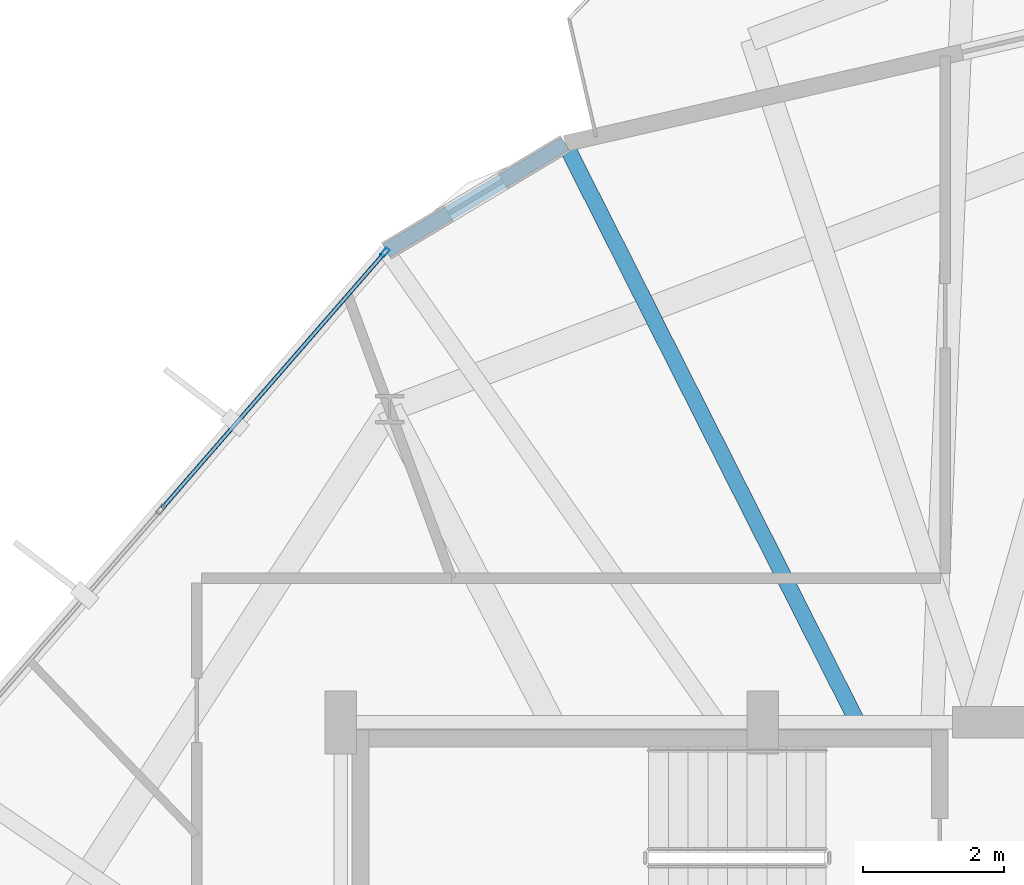
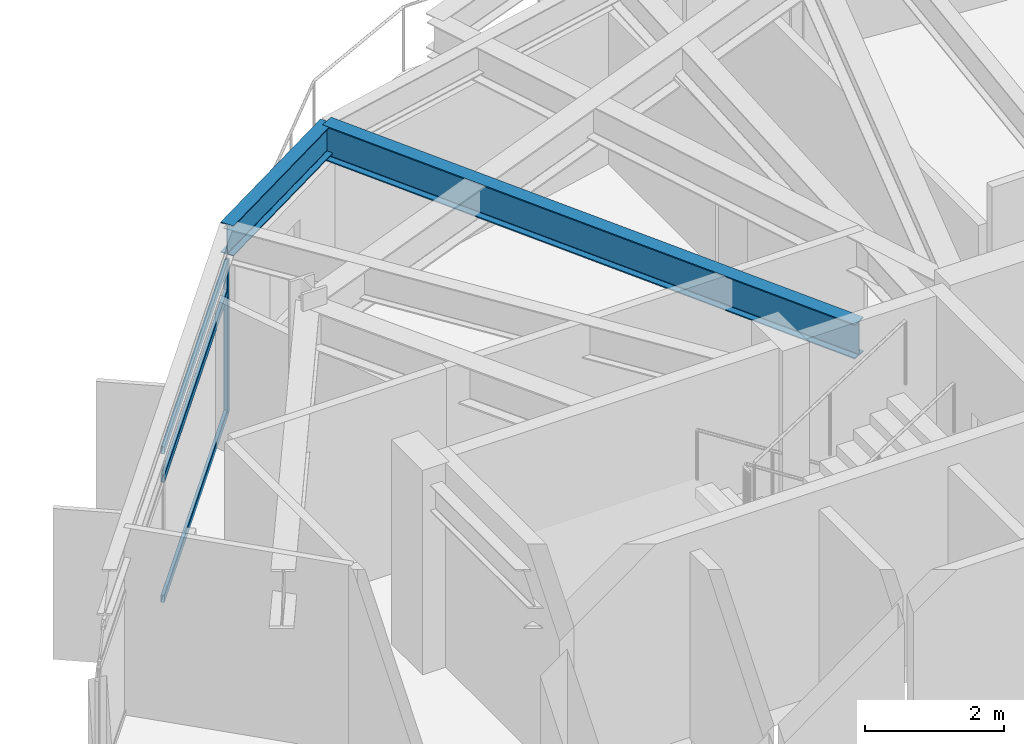
# One storey, part 15 of 27: 4 members, 2 beams, 1 element without a shape of its own.
"""IFC4 building model written with IfcOpenShell, lengths in metres."""

from ifc_helpers import new_model, si_unit, direction, frame, origin, origin_2d, place, context, subcontext, project, spatial, hollow_rectangle, i_section, extrude, material, layer, layer_set, material_profile, profile_set, type_object, element, aggregate, save


model = new_model("IFC4")

# Units and contexts
model_context = context("Model", 3, precision=1e-05, world=origin(), true_north=direction((0.0, 1.0)))
body_context = subcontext(model_context, "Body", "Model", "MODEL_VIEW")
ifc_project = project(units=[si_unit("LENGTHUNIT", "METRE"), si_unit("AREAUNIT", "SQUARE_METRE"), si_unit("VOLUMEUNIT", "CUBIC_METRE"), si_unit("PLANEANGLEUNIT", "RADIAN"), si_unit("MASSUNIT", "GRAM", prefix="KILO")], contexts=[model_context])

# Site, building, storey
site_placement = place(None, origin())
site = spatial("IfcSite", under=ifc_project, at=site_placement, CompositionType="ELEMENT")
building_placement = place(site_placement, origin())
building = spatial("IfcBuilding", under=site, at=building_placement, Name="Soratama Intermodal Tower", CompositionType="ELEMENT")
storey_placement = place(building_placement, frame((0.0, 0.0, 212.199951171875)))
storey = spatial("IfcBuildingStorey", under=building, at=storey_placement, Name="L53", CompositionType="ELEMENT", Elevation=212.199951171875)

# Beams
ifc_material_1 = material(Name="Structural steel ASTM A992 Grade 50", Category="steel")
ifc_material_profile_1 = material_profile(ifc_material_1, i_section(OverallWidth=0.2099609375, OverallDepth=0.537109375, WebThickness=0.010986328125, FlangeThickness=0.017333984375, FilletRadius=0.012939453125, at=origin_2d()), Name="W21X68")
ifc_profile_set_1 = profile_set([ifc_material_profile_1], Name="Structural steel ASTM A992 Grade 50")
beam_type_1 = type_object("IfcBeamType", Name="BM-SPN-W21X68", PredefinedType="SPANDREL", material=ifc_profile_set_1)
beam_1_placement = place(storey_placement, frame((35.7919921875, 43.23193359375, 3.031494140625), z_axis=(-0.857565534779, -0.514374720957, 0.0), x_axis=(0.514374720957, -0.857565534779, 0.0)))
element("IfcBeam", 1, at=beam_1_placement, inside=storey, type_object=beam_type_1, Name="BS-L53-CRN02", PredefinedType="SPANDREL", context=body_context, shape_type="SweptSolid", body=[
    extrude(i_section(OverallWidth=0.2099609375, OverallDepth=0.537109375, WebThickness=0.010986328125, FlangeThickness=0.017333984375, FilletRadius=0.012939453125, at=origin_2d()), origin(), (0.0, 0.0, 1.0), 2.966552734375),
])
ifc_material_2 = material(Name="Structural steel ASTM A992 Grade 50", Category="steel")
ifc_material_profile_2 = material_profile(ifc_material_2, i_section(OverallWidth=0.22900390625, OverallDepth=0.612060546875, WebThickness=0.011962890625, FlangeThickness=0.01953125, FilletRadius=0.012939453125, at=origin_2d()), Name="W24X84")
ifc_profile_set_2 = profile_set([ifc_material_profile_2], Name="Structural steel ASTM A992 Grade 50")
beam_type_2 = type_object("IfcBeamType", Name="BM-TIE-W24X84", PredefinedType="BEAM", material=ifc_profile_set_2)
beam_2_placement = place(storey_placement, frame((39.931884765625, 35.035888671875, 2.994140625), z_axis=(-0.450857790646, 0.892595794643, 0.0), x_axis=(-0.892595794643, -0.450857790646, 0.0)))
element("IfcBeam", 2, at=beam_2_placement, inside=storey, type_object=beam_type_2, Name="BM-L53-TIE1-02", PredefinedType="BEAM", context=body_context, shape_type="SweptSolid", body=[
    extrude(i_section(OverallWidth=0.22900390625, OverallDepth=0.612060546875, WebThickness=0.011962890625, FlangeThickness=0.01953125, FilletRadius=0.012939453125, at=origin_2d()), origin(), (0.0, 0.0, 1.0), 9.182373046875),
])

# Curtain wall, members
ifc_material_3 = material(Name="Double-glazed aluminium curtain wall", Category="aluminium")
ifc_layer = layer(ifc_material_3, 0.159912109375)
ifc_layer_set = layer_set([ifc_layer], Name="Double-glazed aluminium curtain wall")
curtain_wall_type = type_object("IfcCurtainWallType", Name="CW-SYS-5", PredefinedType="NOTDEFINED", material=ifc_layer_set)
curtain_wall_placement = place(storey_placement, origin())
curtain_wall = element("IfcCurtainWall", 3, at=curtain_wall_placement, inside=storey, type_object=curtain_wall_type, Name="L53 Faceted Curtain Wall F03", PredefinedType="NOTDEFINED")
ifc_material_4 = material(Name="Anodised aluminium AA 6063-T6", Category="aluminium")
ifc_material_profile_3 = material_profile(ifc_material_4, hollow_rectangle(XDim=0.06494140625, YDim=0.139892578125, WallThickness=0.0048828125, InnerFilletRadius=0.0048828125, OuterFilletRadius=0.010009765625, at=origin_2d()), Name="CWM140X65X5")
ifc_profile_set_3 = profile_set([ifc_material_profile_3], Name="Anodised aluminium AA 6063-T6")
member_type_1 = type_object("IfcMemberType", Name="MT-CWM-5", PredefinedType="MULLION", material=ifc_profile_set_3)
member_1_placement = place(storey_placement, frame((33.228515625, 41.683349609375, 0.0), z_axis=(0.0, 0.0, 1.0), x_axis=(0.754252145903, -0.656584876768, 0.0)))
member_1 = element("IfcMember", 4, at=member_1_placement, type_object=member_type_1, Name="CW-5 mullion 1", PredefinedType="MULLION", context=body_context, shape_type="SweptSolid", body=[
    extrude(hollow_rectangle(XDim=0.06494140625, YDim=0.139892578125, WallThickness=0.0048828125, InnerFilletRadius=0.0048828125, OuterFilletRadius=0.010009765625, at=origin_2d()), origin(), (0.0, 0.0, 1.0), 2.678955078125),
])
ifc_material_5 = material(Name="Anodised aluminium AA 6063-T6", Category="aluminium")
ifc_material_profile_4 = material_profile(ifc_material_5, hollow_rectangle(XDim=0.06005859375, YDim=0.1298828125, WallThickness=0.0048828125, InnerFilletRadius=0.0048828125, OuterFilletRadius=0.010009765625, at=origin_2d()), Name="CWT130X60X5")
ifc_profile_set_4 = profile_set([ifc_material_profile_4], Name="Anodised aluminium AA 6063-T6")
member_type_2 = type_object("IfcMemberType", Name="TT-CWT-2", PredefinedType="USERDEFINED", material=ifc_profile_set_4)
member_2_placement = place(storey_placement, frame((33.208740234375, 41.66064453125, 0.030029296875), z_axis=(-0.656584568529, -0.754252414228, 0.0), x_axis=(0.754252414228, -0.656584568529, 0.0)))
member_2 = element("IfcMember", 5, at=member_2_placement, type_object=member_type_2, Name="CW-5 transom 1.1", ObjectType="TRANSOM", PredefinedType="USERDEFINED", context=body_context, shape_type="SweptSolid", body=[
    extrude(hollow_rectangle(XDim=0.06005859375, YDim=0.1298828125, WallThickness=0.0048828125, InnerFilletRadius=0.0048828125, OuterFilletRadius=0.010009765625, at=origin_2d()), origin(), (0.0, 0.0, 1.0), 4.79443359375),
])
member_3_placement = place(storey_placement, frame((33.208740234375, 41.66064453125, 2.150146484375), z_axis=(-0.656584568529, -0.754252414228, 0.0), x_axis=(0.754252414228, -0.656584568529, 0.0)))
member_3 = element("IfcMember", 6, at=member_3_placement, type_object=member_type_2, Name="CW-5 transom 1.2", ObjectType="TRANSOM", PredefinedType="USERDEFINED", context=body_context, shape_type="SweptSolid", body=[
    extrude(hollow_rectangle(XDim=0.06005859375, YDim=0.1298828125, WallThickness=0.0048828125, InnerFilletRadius=0.0048828125, OuterFilletRadius=0.010009765625, at=origin_2d()), origin(), (0.0, 0.0, 1.0), 4.79443359375),
])
member_4_placement = place(storey_placement, frame((33.208740234375, 41.66064453125, 2.649169921875), z_axis=(-0.656584568529, -0.754252414228, 0.0), x_axis=(0.754252414228, -0.656584568529, 0.0)))
member_4 = element("IfcMember", 7, at=member_4_placement, type_object=member_type_2, Name="CW-5 transom 1.3", ObjectType="TRANSOM", PredefinedType="USERDEFINED", context=body_context, shape_type="SweptSolid", body=[
    extrude(hollow_rectangle(XDim=0.06005859375, YDim=0.1298828125, WallThickness=0.0048828125, InnerFilletRadius=0.0048828125, OuterFilletRadius=0.010009765625, at=origin_2d()), origin(), (0.0, 0.0, 1.0), 4.79443359375),
])
aggregate(curtain_wall, [member_1, member_2, member_3, member_4])

save(model, "model.ifc")
